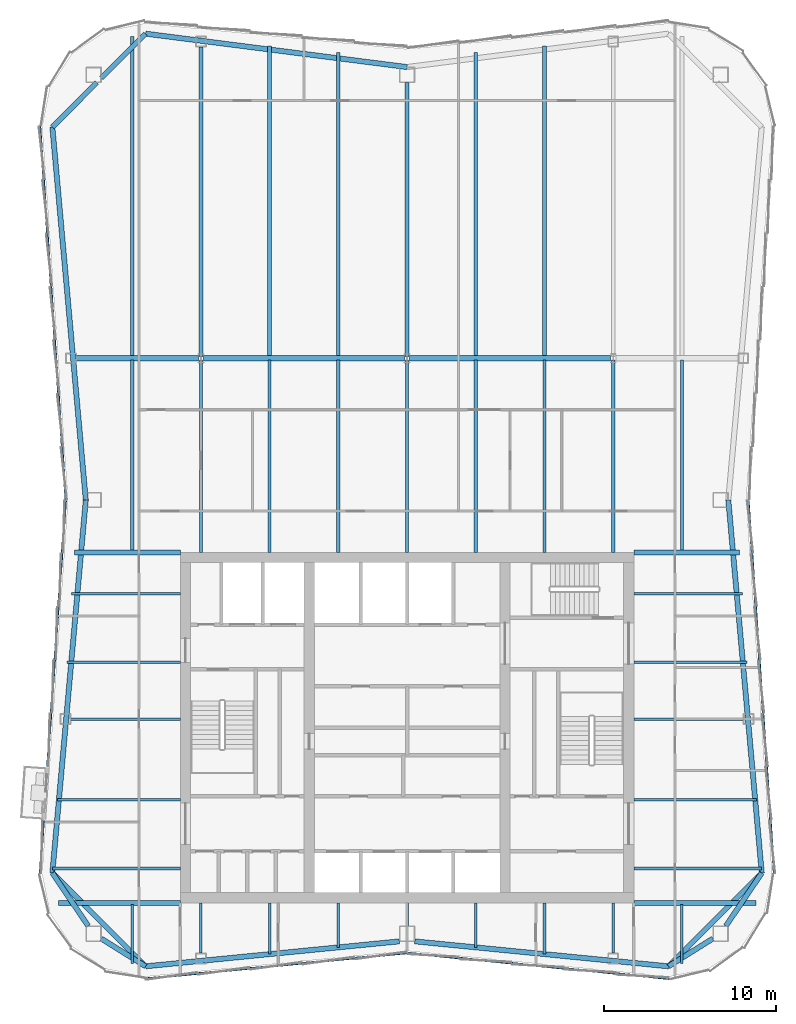
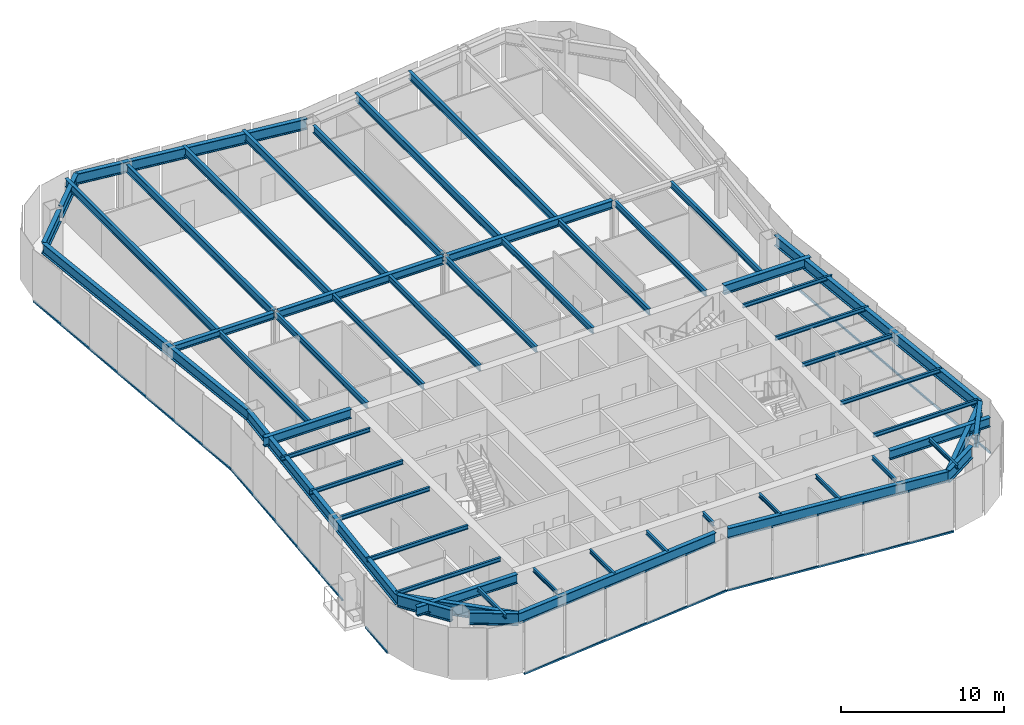
# One storey, part 3 of 10: 56 beams, 6 members, 3 elements without a shape of their own.
"""IFC4 building model written with IfcOpenShell, lengths in metres."""

from ifc_helpers import new_model, si_unit, direction, frame, origin, origin_2d, place, context, subcontext, project, spatial, rectangle, i_section, extrude, material, material_profile, profile_set, type_object, element, aggregate, save


model = new_model("IFC4")

# Units and contexts
model_context = context("Model", 3, precision=1e-05, world=origin(), true_north=direction((0.0, 1.0)))
body_context = subcontext(model_context, "Body", "Model", "MODEL_VIEW")
ifc_project = project(units=[si_unit("LENGTHUNIT", "METRE"), si_unit("AREAUNIT", "SQUARE_METRE"), si_unit("VOLUMEUNIT", "CUBIC_METRE"), si_unit("PLANEANGLEUNIT", "RADIAN"), si_unit("MASSUNIT", "GRAM", prefix="KILO")], contexts=[model_context])

# Site, building, storey
site_placement = place(None, origin())
site = spatial("IfcSite", under=ifc_project, at=site_placement, CompositionType="ELEMENT")
building_placement = place(site_placement, origin())
building = spatial("IfcBuilding", under=site, at=building_placement, Name="Verdant Reach Tower", CompositionType="ELEMENT")
storey_placement = place(building_placement, frame((0.0, 0.0, 302.0)))
storey = spatial("IfcBuildingStorey", under=building, at=storey_placement, Name="L69", CompositionType="ELEMENT", Elevation=302.0)

# Curtain wall, member
ifc_material_1 = material(Name="Anodised aluminium", Category="aluminium")
curtain_wall_type = type_object("IfcCurtainWallType", Name="EN-CW SYSTEM Z5", PredefinedType="NOTDEFINED", material=ifc_material_1)
curtain_wall_1_placement = place(storey_placement, origin())
curtain_wall_1 = element("IfcCurtainWall", 1, at=curtain_wall_1_placement, inside=storey, type_object=curtain_wall_type, Name="Curtain wall east, L69", PredefinedType="NOTDEFINED")
ifc_material_profile_1 = material_profile(ifc_material_1, rectangle(XDim=0.10009765625, YDim=0.1298828125, at=origin_2d()), Name="Transom 130x100")
ifc_profile_set_1 = profile_set([ifc_material_profile_1], Name="Anodised aluminium")
member_type = type_object("IfcMemberType", Name="EN-TRANSOM Z5", PredefinedType="USERDEFINED", material=ifc_profile_set_1)
member_1_placement = place(storey_placement, frame((21.3623046875, 19.527587890625, -0.284912109375), z_axis=(-0.068764705107, 0.997632906099, 0.0), x_axis=(-0.997632906099, -0.068764705107, 0.0)))
member_1 = element("IfcMember", 2, at=member_1_placement, type_object=member_type, Name="Transom east face part 1 1.1, L69", ObjectType="TRANSOM", PredefinedType="USERDEFINED", context=body_context, shape_type="SweptSolid", body=[
    extrude(rectangle(XDim=0.10009765625, YDim=0.1298828125, at=origin_2d()), origin(), (0.0, 0.0, 1.0), 21.739013671875),
])
aggregate(curtain_wall_1, [member_1])

# Curtain wall, members
curtain_wall_2_placement = place(storey_placement, origin())
curtain_wall_2 = element("IfcCurtainWall", 3, at=curtain_wall_2_placement, inside=storey, type_object=curtain_wall_type, Name="Curtain wall west, L69", PredefinedType="NOTDEFINED")
member_2_placement = place(storey_placement, frame((-21.3623046875, 62.972412109375, -0.284912109375), z_axis=(0.068764705107, -0.997632906099, 0.0), x_axis=(0.997632906099, 0.068764705107, 0.0)))
member_2 = element("IfcMember", 4, at=member_2_placement, type_object=member_type, Name="Transom west face part 1 1.1, L69", ObjectType="TRANSOM", PredefinedType="USERDEFINED", context=body_context, shape_type="SweptSolid", body=[
    extrude(rectangle(XDim=0.10009765625, YDim=0.1298828125, at=origin_2d()), origin(), (0.0, 0.0, 1.0), 21.739013671875),
])
member_3_placement = place(storey_placement, frame((-19.867431640625, 41.215087890625, -0.284912109375), z_axis=(-0.068823721613, -0.997628836463, 0.0), x_axis=(0.997628836463, -0.068823721613, 0.0)))
member_3 = element("IfcMember", 5, at=member_3_placement, type_object=member_type, Name="Transom west face part 2 1.1, L69", ObjectType="TRANSOM", PredefinedType="USERDEFINED", context=body_context, shape_type="SweptSolid", body=[
    extrude(rectangle(XDim=0.10009765625, YDim=0.1298828125, at=origin_2d()), origin(), (0.0, 0.0, 1.0), 15.49462890625),
])
member_4_placement = place(storey_placement, frame((-21.15283203125, 22.580078125, -0.284912109375), z_axis=(-0.068462518223, -0.997653689212, 0.0), x_axis=(0.997653689212, -0.068462518223, 0.0)))
member_4 = element("IfcMember", 6, at=member_4_placement, type_object=member_type, Name="Transom west face part 2 2.1, L69", ObjectType="TRANSOM", PredefinedType="USERDEFINED", context=body_context, shape_type="SweptSolid", body=[
    extrude(rectangle(XDim=0.10009765625, YDim=0.1298828125, at=origin_2d()), origin(), (0.0, 0.0, 1.0), 3.0595703125),
])
aggregate(curtain_wall_2, [member_2, member_3, member_4])

curtain_wall_3_placement = place(storey_placement, origin())
curtain_wall_3 = element("IfcCurtainWall", 7, at=curtain_wall_3_placement, inside=storey, type_object=curtain_wall_type, Name="Curtain wall south, L69", PredefinedType="NOTDEFINED")
member_5_placement = place(storey_placement, frame((-15.220703125, 13.388671875, -0.284912109375), z_axis=(0.99520229006, 0.097838652171, 0.0), x_axis=(-0.097838652171, 0.99520229006, 0.0)))
member_5 = element("IfcMember", 8, at=member_5_placement, type_object=member_type, Name="Transom south face part 1 1.1, L69", ObjectType="TRANSOM", PredefinedType="USERDEFINED", context=body_context, shape_type="SweptSolid", body=[
    extrude(rectangle(XDim=0.10009765625, YDim=0.1298828125, at=origin_2d()), origin(), (0.0, 0.0, 1.0), 15.259033203125),
])
member_6_placement = place(storey_placement, frame((0.034912109375, 14.881591796875, -0.284912109375), z_axis=(0.99520229006, -0.097838652171, 0.0), x_axis=(0.097838652171, 0.99520229006, 0.0)))
member_6 = element("IfcMember", 9, at=member_6_placement, type_object=member_type, Name="Transom south face part 2 1.1, L69", ObjectType="TRANSOM", PredefinedType="USERDEFINED", context=body_context, shape_type="SweptSolid", body=[
    extrude(rectangle(XDim=0.10009765625, YDim=0.1298828125, at=origin_2d()), origin(), (0.0, 0.0, 1.0), 15.259033203125),
])
aggregate(curtain_wall_3, [member_5, member_6])

# Beams
ifc_material_2 = material(Name="Steel S355", Category="steel")
ifc_material_profile_2 = material_profile(ifc_material_2, i_section(OverallWidth=0.300048828125, OverallDepth=0.489990234375, WebThickness=0.011962890625, FlangeThickness=0.02294921875, FilletRadius=0.027099609375, at=origin_2d()), Name="HEA 500")
ifc_profile_set_2 = profile_set([ifc_material_profile_2], Name="Steel S355")
beam_type_1 = type_object("IfcBeamType", Name="ST-BEAM-HEA500", PredefinedType="BEAM", material=ifc_profile_set_2)
beam_1_placement = place(storey_placement, frame((-19.26904296875, 49.5, 3.625), z_axis=(1.0, 0.0, 0.0), x_axis=(0.0, 1.0, 0.0)))
element("IfcBeam", 10, at=beam_1_placement, inside=storey, type_object=beam_type_1, Name="Row girder, L69", PredefinedType="BEAM", context=body_context, shape_type="SweptSolid", body=[
    extrude(i_section(OverallWidth=0.300048828125, OverallDepth=0.489990234375, WebThickness=0.011962890625, FlangeThickness=0.02294921875, FilletRadius=0.027099609375, at=origin_2d()), origin(), (0.0, 0.0, 1.0), 7.115966796875),
])
ifc_material_profile_3 = material_profile(ifc_material_2, i_section(OverallWidth=0.300048828125, OverallDepth=0.60009765625, WebThickness=0.015380859375, FlangeThickness=0.030029296875, FilletRadius=0.027099609375, at=origin_2d()), Name="HEB 600")
ifc_profile_set_3 = profile_set([ifc_material_profile_3], Name="Steel S355")
beam_type_2 = type_object("IfcBeamType", Name="ST-BEAM-HEB600", PredefinedType="BEAM", material=ifc_profile_set_3)
for number, where, z_axis, x_axis, name in (
    (11, (-11.846923828125, 49.5, 3.570068359375), (1.0, 0.0, 0.0), (0.0, 1.0, 0.0), "Row girder, L69"),
    (12, (0.153076171875, 49.5, 3.570068359375), (1.0, 0.0, 0.0), (0.0, 1.0, 0.0), "Row girder, L69"),
):
    element("IfcBeam", number, at=place(storey_placement, frame(where, z_axis=z_axis, x_axis=x_axis)), inside=storey, type_object=beam_type_2, Name=name, PredefinedType="BEAM", context=body_context, shape_type="SweptSolid", body=[
        extrude(i_section(OverallWidth=0.300048828125, OverallDepth=0.60009765625, WebThickness=0.015380859375, FlangeThickness=0.030029296875, FilletRadius=0.027099609375, at=origin_2d()), origin(), (0.0, 0.0, 1.0), 11.69384765625),
    ])
ifc_material_profile_4 = material_profile(ifc_material_2, i_section(OverallWidth=0.300048828125, OverallDepth=0.699951171875, WebThickness=0.01708984375, FlangeThickness=0.031982421875, FilletRadius=0.027099609375, at=origin_2d()), Name="HEB 700")
ifc_profile_set_4 = profile_set([ifc_material_profile_4], Name="Steel S355")
beam_type_3 = type_object("IfcBeamType", Name="ST-BEAM-HEB700", PredefinedType="BEAM", material=ifc_profile_set_4)
for number, where, z_axis, x_axis, name in (
    (13, (13.199951171875, 38.199951171875, 3.52001953125), (1.0, 0.0, 0.0), (0.0, 1.0, 0.0), "Trimmer beam, L69"),
    (14, (-13.199951171875, 38.199951171875, 3.52001953125), (-1.0, 0.0, 0.0), (0.0, -1.0, 0.0), "Trimmer beam, L69"),
):
    element("IfcBeam", number, at=place(storey_placement, frame(where, z_axis=z_axis, x_axis=x_axis)), inside=storey, type_object=beam_type_3, Name=name, PredefinedType="BEAM", context=body_context, shape_type="SweptSolid", body=[
        extrude(i_section(OverallWidth=0.300048828125, OverallDepth=0.699951171875, WebThickness=0.01708984375, FlangeThickness=0.031982421875, FilletRadius=0.027099609375, at=origin_2d()), origin(), (0.0, 0.0, 1.0), 6.158935546875),
    ])
for number, where, z_axis, x_axis, name in (
    (15, (13.199951171875, 17.800048828125, 3.52001953125), (1.0, 0.0, 0.0), (0.0, 1.0, 0.0), "Trimmer beam, L69"),
    (16, (-13.199951171875, 17.800048828125, 3.52001953125), (-1.0, 0.0, 0.0), (0.0, -1.0, 0.0), "Trimmer beam, L69"),
):
    element("IfcBeam", number, at=place(storey_placement, frame(where, z_axis=z_axis, x_axis=x_axis)), inside=storey, type_object=beam_type_3, Name=name, PredefinedType="BEAM", context=body_context, shape_type="SweptSolid", body=[
        extrude(i_section(OverallWidth=0.300048828125, OverallDepth=0.699951171875, WebThickness=0.01708984375, FlangeThickness=0.031982421875, FilletRadius=0.027099609375, at=origin_2d()), origin(), (0.0, 0.0, 1.0), 7.10009765625),
    ])
ifc_material_profile_5 = material_profile(ifc_material_2, i_section(OverallWidth=0.302001953125, OverallDepth=0.909912109375, WebThickness=0.02099609375, FlangeThickness=0.0400390625, FilletRadius=0.030029296875, at=origin_2d()), Name="HEM 900")
ifc_profile_set_5 = profile_set([ifc_material_profile_5], Name="Steel S355")
beam_type_4 = type_object("IfcBeamType", Name="ST-BEAM-HEM900", PredefinedType="BEAM", material=ifc_profile_set_5)
beam_2_placement = place(storey_placement, frame((17.800048828125, 15.71875, 3.4150390625), z_axis=(-0.847903624467, -0.530150397166, 0.0), x_axis=(0.530150397166, -0.847903624467, 0.0)))
element("IfcBeam", 17, at=beam_2_placement, inside=storey, type_object=beam_type_4, Name="Column stub beam, L69", PredefinedType="BEAM", context=body_context, shape_type="SweptSolid", body=[
    extrude(i_section(OverallWidth=0.302001953125, OverallDepth=0.909912109375, WebThickness=0.02099609375, FlangeThickness=0.0400390625, FilletRadius=0.030029296875, at=origin_2d()), origin(), (0.0, 0.0, 1.0), 3.042724609375),
])
beam_3_placement = place(storey_placement, frame((18.5546875, 16.449951171875, 3.4150390625), z_axis=(0.560667226688, 0.828041219335, 0.0), x_axis=(-0.828041219335, 0.560667226688, 0.0)))
element("IfcBeam", 18, at=beam_3_placement, inside=storey, type_object=beam_type_4, Name="Column stub beam, L69", PredefinedType="BEAM", context=body_context, shape_type="SweptSolid", body=[
    extrude(i_section(OverallWidth=0.302001953125, OverallDepth=0.909912109375, WebThickness=0.02099609375, FlangeThickness=0.0400390625, FilletRadius=0.030029296875, at=origin_2d()), origin(), (0.0, 0.0, 1.0), 3.72998046875),
])
beam_4_placement = place(storey_placement, frame((-17.800048828125, 15.71875, 3.4150390625), z_axis=(0.847903624467, -0.530150397166, 0.0), x_axis=(0.530150397166, 0.847903624467, 0.0)))
element("IfcBeam", 19, at=beam_4_placement, inside=storey, type_object=beam_type_4, Name="Column stub beam, L69", PredefinedType="BEAM", context=body_context, shape_type="SweptSolid", body=[
    extrude(i_section(OverallWidth=0.302001953125, OverallDepth=0.909912109375, WebThickness=0.02099609375, FlangeThickness=0.0400390625, FilletRadius=0.030029296875, at=origin_2d()), origin(), (0.0, 0.0, 1.0), 3.042724609375),
])
beam_5_placement = place(storey_placement, frame((-18.5546875, 16.449951171875, 3.4150390625), z_axis=(-0.560667226688, 0.828041219335, 0.0), x_axis=(-0.828041219335, -0.560667226688, 0.0)))
element("IfcBeam", 20, at=beam_5_placement, inside=storey, type_object=beam_type_4, Name="Column stub beam, L69", PredefinedType="BEAM", context=body_context, shape_type="SweptSolid", body=[
    extrude(i_section(OverallWidth=0.302001953125, OverallDepth=0.909912109375, WebThickness=0.02099609375, FlangeThickness=0.0400390625, FilletRadius=0.030029296875, at=origin_2d()), origin(), (0.0, 0.0, 1.0), 3.72998046875),
])
ifc_material_profile_6 = material_profile(ifc_material_2, i_section(OverallWidth=0.14990234375, OverallDepth=0.300048828125, WebThickness=0.007080078125, FlangeThickness=0.0107421875, FilletRadius=0.014892578125, at=origin_2d()), Name="IPE 300")
ifc_profile_set_6 = profile_set([ifc_material_profile_6], Name="Steel S355")
beam_type_5 = type_object("IfcBeamType", Name="ST-JOIST-IPE300", PredefinedType="JOIST", material=ifc_profile_set_6)
beam_6_placement = place(storey_placement, frame((-16.0, 17.699951171875, 3.719970703125), z_axis=(0.0, -1.0, 0.0), x_axis=(1.0, 0.0, 0.0)))
element("IfcBeam", 21, at=beam_6_placement, inside=storey, type_object=beam_type_5, Name="Floor joist, L69", PredefinedType="JOIST", context=body_context, shape_type="SweptSolid", body=[
    extrude(i_section(OverallWidth=0.14990234375, OverallDepth=0.300048828125, WebThickness=0.007080078125, FlangeThickness=0.0107421875, FilletRadius=0.014892578125, at=origin_2d()), origin(), (0.0, 0.0, 1.0), 3.43896484375),
])
beam_7_placement = place(storey_placement, frame((-12.0, 17.800048828125, 3.719970703125), z_axis=(0.0, -1.0, 0.0), x_axis=(1.0, 0.0, 0.0)))
element("IfcBeam", 22, at=beam_7_placement, inside=storey, type_object=beam_type_5, Name="Floor joist, L69", PredefinedType="JOIST", context=body_context, shape_type="SweptSolid", body=[
    extrude(i_section(OverallWidth=0.14990234375, OverallDepth=0.300048828125, WebThickness=0.007080078125, FlangeThickness=0.0107421875, FilletRadius=0.014892578125, at=origin_2d()), origin(), (0.0, 0.0, 1.0), 2.930419921875),
])
beam_8_placement = place(storey_placement, frame((-8.0, 17.800048828125, 3.719970703125), z_axis=(0.0, -1.0, 0.0), x_axis=(1.0, 0.0, 0.0)))
element("IfcBeam", 23, at=beam_8_placement, inside=storey, type_object=beam_type_5, Name="Floor joist, L69", PredefinedType="JOIST", context=body_context, shape_type="SweptSolid", body=[
    extrude(i_section(OverallWidth=0.14990234375, OverallDepth=0.300048828125, WebThickness=0.007080078125, FlangeThickness=0.0107421875, FilletRadius=0.014892578125, at=origin_2d()), origin(), (0.0, 0.0, 1.0), 2.984130859375),
])
beam_9_placement = place(storey_placement, frame((-4.0, 17.800048828125, 3.719970703125), z_axis=(0.0, -1.0, 0.0), x_axis=(1.0, 0.0, 0.0)))
element("IfcBeam", 24, at=beam_9_placement, inside=storey, type_object=beam_type_5, Name="Floor joist, L69", PredefinedType="JOIST", context=body_context, shape_type="SweptSolid", body=[
    extrude(i_section(OverallWidth=0.14990234375, OverallDepth=0.300048828125, WebThickness=0.007080078125, FlangeThickness=0.0107421875, FilletRadius=0.014892578125, at=origin_2d()), origin(), (0.0, 0.0, 1.0), 2.590576171875),
])
beam_10_placement = place(storey_placement, frame((0.0, 17.800048828125, 3.719970703125), z_axis=(0.0, -1.0, 0.0), x_axis=(1.0, 0.0, 0.0)))
element("IfcBeam", 25, at=beam_10_placement, inside=storey, type_object=beam_type_5, Name="Floor joist, L69", PredefinedType="JOIST", context=body_context, shape_type="SweptSolid", body=[
    extrude(i_section(OverallWidth=0.14990234375, OverallDepth=0.300048828125, WebThickness=0.007080078125, FlangeThickness=0.0107421875, FilletRadius=0.014892578125, at=origin_2d()), origin(), (0.0, 0.0, 1.0), 1.35009765625),
])
beam_11_placement = place(storey_placement, frame((4.0, 17.800048828125, 3.719970703125), z_axis=(0.0, -1.0, 0.0), x_axis=(1.0, 0.0, 0.0)))
element("IfcBeam", 26, at=beam_11_placement, inside=storey, type_object=beam_type_5, Name="Floor joist, L69", PredefinedType="JOIST", context=body_context, shape_type="SweptSolid", body=[
    extrude(i_section(OverallWidth=0.14990234375, OverallDepth=0.300048828125, WebThickness=0.007080078125, FlangeThickness=0.0107421875, FilletRadius=0.014892578125, at=origin_2d()), origin(), (0.0, 0.0, 1.0), 2.590576171875),
])
beam_12_placement = place(storey_placement, frame((8.0, 17.800048828125, 3.719970703125), z_axis=(0.0, -1.0, 0.0), x_axis=(1.0, 0.0, 0.0)))
element("IfcBeam", 27, at=beam_12_placement, inside=storey, type_object=beam_type_5, Name="Floor joist, L69", PredefinedType="JOIST", context=body_context, shape_type="SweptSolid", body=[
    extrude(i_section(OverallWidth=0.14990234375, OverallDepth=0.300048828125, WebThickness=0.007080078125, FlangeThickness=0.0107421875, FilletRadius=0.014892578125, at=origin_2d()), origin(), (0.0, 0.0, 1.0), 2.984130859375),
])
beam_13_placement = place(storey_placement, frame((12.0, 17.800048828125, 3.719970703125), z_axis=(0.0, -1.0, 0.0), x_axis=(1.0, 0.0, 0.0)))
element("IfcBeam", 28, at=beam_13_placement, inside=storey, type_object=beam_type_5, Name="Floor joist, L69", PredefinedType="JOIST", context=body_context, shape_type="SweptSolid", body=[
    extrude(i_section(OverallWidth=0.14990234375, OverallDepth=0.300048828125, WebThickness=0.007080078125, FlangeThickness=0.0107421875, FilletRadius=0.014892578125, at=origin_2d()), origin(), (0.0, 0.0, 1.0), 2.930419921875),
])
beam_14_placement = place(storey_placement, frame((16.0, 17.699951171875, 3.719970703125), z_axis=(0.0, -1.0, 0.0), x_axis=(1.0, 0.0, 0.0)))
element("IfcBeam", 29, at=beam_14_placement, inside=storey, type_object=beam_type_5, Name="Floor joist, L69", PredefinedType="JOIST", context=body_context, shape_type="SweptSolid", body=[
    extrude(i_section(OverallWidth=0.14990234375, OverallDepth=0.300048828125, WebThickness=0.007080078125, FlangeThickness=0.0107421875, FilletRadius=0.014892578125, at=origin_2d()), origin(), (0.0, 0.0, 1.0), 3.43896484375),
])
for number, where, z_axis, x_axis, name in (
    (30, (13.199951171875, 19.800048828125, 3.719970703125), (1.0, 0.0, 0.0), (0.0, 1.0, 0.0), "Floor joist, L69"),
    (31, (-13.199951171875, 19.800048828125, 3.719970703125), (-1.0, 0.0, 0.0), (0.0, -1.0, 0.0), "Floor joist, L69"),
):
    element("IfcBeam", number, at=place(storey_placement, frame(where, z_axis=z_axis, x_axis=x_axis)), inside=storey, type_object=beam_type_5, Name=name, PredefinedType="JOIST", context=body_context, shape_type="SweptSolid", body=[
        extrude(i_section(OverallWidth=0.14990234375, OverallDepth=0.300048828125, WebThickness=0.007080078125, FlangeThickness=0.0107421875, FilletRadius=0.014892578125, at=origin_2d()), origin(), (0.0, 0.0, 1.0), 7.427978515625),
    ])
for number, where, z_axis, x_axis, name in (
    (32, (13.199951171875, 23.800048828125, 3.719970703125), (1.0, 0.0, 0.0), (0.0, 1.0, 0.0), "Floor joist, L69"),
    (33, (-13.199951171875, 23.800048828125, 3.719970703125), (-1.0, 0.0, 0.0), (0.0, -1.0, 0.0), "Floor joist, L69"),
):
    element("IfcBeam", number, at=place(storey_placement, frame(where, z_axis=z_axis, x_axis=x_axis)), inside=storey, type_object=beam_type_5, Name=name, PredefinedType="JOIST", context=body_context, shape_type="SweptSolid", body=[
        extrude(i_section(OverallWidth=0.14990234375, OverallDepth=0.300048828125, WebThickness=0.007080078125, FlangeThickness=0.0107421875, FilletRadius=0.014892578125, at=origin_2d()), origin(), (0.0, 0.0, 1.0), 7.152099609375),
    ])
for number, where, z_axis, x_axis, name in (
    (34, (13.199951171875, 28.5, 3.719970703125), (1.0, 0.0, 0.0), (0.0, 1.0, 0.0), "Floor joist, L69"),
    (35, (-13.199951171875, 28.5, 3.719970703125), (-1.0, 0.0, 0.0), (0.0, -1.0, 0.0), "Floor joist, L69"),
):
    element("IfcBeam", number, at=place(storey_placement, frame(where, z_axis=z_axis, x_axis=x_axis)), inside=storey, type_object=beam_type_5, Name=name, PredefinedType="JOIST", context=body_context, shape_type="SweptSolid", body=[
        extrude(i_section(OverallWidth=0.14990234375, OverallDepth=0.300048828125, WebThickness=0.007080078125, FlangeThickness=0.0107421875, FilletRadius=0.014892578125, at=origin_2d()), origin(), (0.0, 0.0, 1.0), 6.37939453125),
    ])
for number, where, z_axis, x_axis, name in (
    (36, (13.199951171875, 31.800048828125, 3.719970703125), (1.0, 0.0, 0.0), (0.0, 1.0, 0.0), "Floor joist, L69"),
    (37, (-13.199951171875, 31.800048828125, 3.719970703125), (-1.0, 0.0, 0.0), (0.0, -1.0, 0.0), "Floor joist, L69"),
):
    element("IfcBeam", number, at=place(storey_placement, frame(where, z_axis=z_axis, x_axis=x_axis)), inside=storey, type_object=beam_type_5, Name=name, PredefinedType="JOIST", context=body_context, shape_type="SweptSolid", body=[
        extrude(i_section(OverallWidth=0.14990234375, OverallDepth=0.300048828125, WebThickness=0.007080078125, FlangeThickness=0.0107421875, FilletRadius=0.014892578125, at=origin_2d()), origin(), (0.0, 0.0, 1.0), 6.600341796875),
    ])
for number, where, z_axis, x_axis, name in (
    (38, (13.199951171875, 35.800048828125, 3.719970703125), (1.0, 0.0, 0.0), (0.0, 1.0, 0.0), "Floor joist, L69"),
    (39, (-13.199951171875, 35.800048828125, 3.719970703125), (-1.0, 0.0, 0.0), (0.0, -1.0, 0.0), "Floor joist, L69"),
):
    element("IfcBeam", number, at=place(storey_placement, frame(where, z_axis=z_axis, x_axis=x_axis)), inside=storey, type_object=beam_type_5, Name=name, PredefinedType="JOIST", context=body_context, shape_type="SweptSolid", body=[
        extrude(i_section(OverallWidth=0.14990234375, OverallDepth=0.300048828125, WebThickness=0.007080078125, FlangeThickness=0.0107421875, FilletRadius=0.014892578125, at=origin_2d()), origin(), (0.0, 0.0, 1.0), 6.324462890625),
    ])
ifc_material_profile_7 = material_profile(ifc_material_2, i_section(OverallWidth=0.18994140625, OverallDepth=0.449951171875, WebThickness=0.009521484375, FlangeThickness=0.0146484375, FilletRadius=0.02099609375, at=origin_2d()), Name="IPE 450")
ifc_profile_set_7 = profile_set([ifc_material_profile_7], Name="Steel S355")
beam_type_6 = type_object("IfcBeamType", Name="ST-JOIST-IPE450", PredefinedType="JOIST", material=ifc_profile_set_7)
beam_15_placement = place(storey_placement, frame((-16.0, 38.300048828125, 3.64501953125), z_axis=(0.0, 1.0, 0.0), x_axis=(-1.0, 0.0, 0.0)))
element("IfcBeam", 40, at=beam_15_placement, inside=storey, type_object=beam_type_6, Name="Floor joist, L69", PredefinedType="JOIST", context=body_context, shape_type="SweptSolid", body=[
    extrude(i_section(OverallWidth=0.18994140625, OverallDepth=0.449951171875, WebThickness=0.009521484375, FlangeThickness=0.0146484375, FilletRadius=0.02099609375, at=origin_2d()), origin(), (0.0, 0.0, 1.0), 11.099853515625),
])
for number, where, z_axis, x_axis, name in (
    (41, (-12.0, 38.199951171875, 3.64501953125), (0.0, 1.0, 0.0), (-1.0, 0.0, 0.0), "Floor joist, L69"),
    (42, (-8.0, 38.199951171875, 3.64501953125), (0.0, 1.0, 0.0), (-1.0, 0.0, 0.0), "Floor joist, L69"),
    (43, (-4.0, 38.199951171875, 3.64501953125), (0.0, 1.0, 0.0), (-1.0, 0.0, 0.0), "Floor joist, L69"),
    (44, (0.0, 38.199951171875, 3.64501953125), (0.0, 1.0, 0.0), (-1.0, 0.0, 0.0), "Floor joist, L69"),
    (45, (4.0, 38.199951171875, 3.64501953125), (0.0, 1.0, 0.0), (-1.0, 0.0, 0.0), "Floor joist, L69"),
    (46, (8.0, 38.199951171875, 3.64501953125), (0.0, 1.0, 0.0), (-1.0, 0.0, 0.0), "Floor joist, L69"),
    (47, (12.0, 38.199951171875, 3.64501953125), (0.0, 1.0, 0.0), (-1.0, 0.0, 0.0), "Floor joist, L69"),
):
    element("IfcBeam", number, at=place(storey_placement, frame(where, z_axis=z_axis, x_axis=x_axis)), inside=storey, type_object=beam_type_6, Name=name, PredefinedType="JOIST", context=body_context, shape_type="SweptSolid", body=[
        extrude(i_section(OverallWidth=0.18994140625, OverallDepth=0.449951171875, WebThickness=0.009521484375, FlangeThickness=0.0146484375, FilletRadius=0.02099609375, at=origin_2d()), origin(), (0.0, 0.0, 1.0), 11.199951171875),
    ])
beam_16_placement = place(storey_placement, frame((16.0, 38.300048828125, 3.64501953125), z_axis=(0.0, 1.0, 0.0), x_axis=(-1.0, 0.0, 0.0)))
element("IfcBeam", 48, at=beam_16_placement, inside=storey, type_object=beam_type_6, Name="Floor joist, L69", PredefinedType="JOIST", context=body_context, shape_type="SweptSolid", body=[
    extrude(i_section(OverallWidth=0.18994140625, OverallDepth=0.449951171875, WebThickness=0.009521484375, FlangeThickness=0.0146484375, FilletRadius=0.02099609375, at=origin_2d()), origin(), (0.0, 0.0, 1.0), 11.099853515625),
])
ifc_material_profile_8 = material_profile(ifc_material_2, i_section(OverallWidth=0.2099609375, OverallDepth=0.550048828125, WebThickness=0.010986328125, FlangeThickness=0.01708984375, FilletRadius=0.02392578125, at=origin_2d()), Name="IPE 550")
ifc_profile_set_8 = profile_set([ifc_material_profile_8], Name="Steel S355")
beam_type_7 = type_object("IfcBeamType", Name="ST-JOIST-IPE550", PredefinedType="JOIST", material=ifc_profile_set_8)
beam_17_placement = place(storey_placement, frame((0.0, 49.60009765625, 3.594970703125), z_axis=(0.0, 1.0, 0.0), x_axis=(-1.0, 0.0, 0.0)))
element("IfcBeam", 49, at=beam_17_placement, inside=storey, type_object=beam_type_7, Name="Floor joist, L69", PredefinedType="JOIST", context=body_context, shape_type="SweptSolid", body=[
    extrude(i_section(OverallWidth=0.2099609375, OverallDepth=0.550048828125, WebThickness=0.010986328125, FlangeThickness=0.01708984375, FilletRadius=0.02392578125, at=origin_2d()), origin(), (0.0, 0.0, 1.0), 15.949951171875),
])
ifc_material_profile_9 = material_profile(ifc_material_2, i_section(OverallWidth=0.219970703125, OverallDepth=0.60009765625, WebThickness=0.011962890625, FlangeThickness=0.01904296875, FilletRadius=0.02392578125, at=origin_2d()), Name="IPE 600")
ifc_profile_set_9 = profile_set([ifc_material_profile_9], Name="Steel S355")
beam_type_8 = type_object("IfcBeamType", Name="ST-JOIST-IPE600", PredefinedType="JOIST", material=ifc_profile_set_9)
beam_18_placement = place(storey_placement, frame((-16.0, 49.60009765625, 3.570068359375), z_axis=(0.0, 1.0, 0.0), x_axis=(-1.0, 0.0, 0.0)))
element("IfcBeam", 50, at=beam_18_placement, inside=storey, type_object=beam_type_8, Name="Floor joist, L69", PredefinedType="JOIST", context=body_context, shape_type="SweptSolid", body=[
    extrude(i_section(OverallWidth=0.219970703125, OverallDepth=0.60009765625, WebThickness=0.011962890625, FlangeThickness=0.01904296875, FilletRadius=0.02392578125, at=origin_2d()), origin(), (0.0, 0.0, 1.0), 18.638916015625),
])
beam_19_placement = place(storey_placement, frame((-12.0, 49.60009765625, 3.570068359375), z_axis=(0.0, 1.0, 0.0), x_axis=(-1.0, 0.0, 0.0)))
element("IfcBeam", 51, at=beam_19_placement, inside=storey, type_object=beam_type_8, Name="Floor joist, L69", PredefinedType="JOIST", context=body_context, shape_type="SweptSolid", body=[
    extrude(i_section(OverallWidth=0.219970703125, OverallDepth=0.60009765625, WebThickness=0.011962890625, FlangeThickness=0.01904296875, FilletRadius=0.02392578125, at=origin_2d()), origin(), (0.0, 0.0, 1.0), 18.0302734375),
])
beam_20_placement = place(storey_placement, frame((-8.0, 49.60009765625, 3.570068359375), z_axis=(0.0, 1.0, 0.0), x_axis=(-1.0, 0.0, 0.0)))
element("IfcBeam", 52, at=beam_20_placement, inside=storey, type_object=beam_type_8, Name="Floor joist, L69", PredefinedType="JOIST", context=body_context, shape_type="SweptSolid", body=[
    extrude(i_section(OverallWidth=0.219970703125, OverallDepth=0.60009765625, WebThickness=0.011962890625, FlangeThickness=0.01904296875, FilletRadius=0.02392578125, at=origin_2d()), origin(), (0.0, 0.0, 1.0), 18.083984375),
])
for number, where, z_axis, x_axis, name in (
    (53, (-4.0, 49.60009765625, 3.570068359375), (0.0, 1.0, 0.0), (-1.0, 0.0, 0.0), "Floor joist, L69"),
    (54, (4.0, 49.60009765625, 3.570068359375), (0.0, 1.0, 0.0), (-1.0, 0.0, 0.0), "Floor joist, L69"),
):
    element("IfcBeam", number, at=place(storey_placement, frame(where, z_axis=z_axis, x_axis=x_axis)), inside=storey, type_object=beam_type_8, Name=name, PredefinedType="JOIST", context=body_context, shape_type="SweptSolid", body=[
        extrude(i_section(OverallWidth=0.219970703125, OverallDepth=0.60009765625, WebThickness=0.011962890625, FlangeThickness=0.01904296875, FilletRadius=0.02392578125, at=origin_2d()), origin(), (0.0, 0.0, 1.0), 17.6904296875),
    ])
beam_21_placement = place(storey_placement, frame((8.0, 49.60009765625, 3.570068359375), z_axis=(0.0, 1.0, 0.0), x_axis=(-1.0, 0.0, 0.0)))
element("IfcBeam", 55, at=beam_21_placement, inside=storey, type_object=beam_type_8, Name="Floor joist, L69", PredefinedType="JOIST", context=body_context, shape_type="SweptSolid", body=[
    extrude(i_section(OverallWidth=0.219970703125, OverallDepth=0.60009765625, WebThickness=0.011962890625, FlangeThickness=0.01904296875, FilletRadius=0.02392578125, at=origin_2d()), origin(), (0.0, 0.0, 1.0), 18.083984375),
])
ifc_material_profile_10 = material_profile(ifc_material_2, i_section(OverallWidth=0.300048828125, OverallDepth=0.800048828125, WebThickness=0.017578125, FlangeThickness=0.032958984375, FilletRadius=0.030029296875, at=origin_2d()), Name="HEB 800")
ifc_profile_set_10 = profile_set([ifc_material_profile_10], Name="Steel S355")
beam_type_9 = type_object("IfcBeamType", Name="ST-SPANDREL-HEB800", PredefinedType="SPANDREL", material=ifc_profile_set_10)
for number, where, z_axis, x_axis, name in (
    (56, (15.22021484375, 14.105712890625, 3.469970703125), (-0.995196964263, 0.097892810366, 0.0), (-0.097892810366, -0.995196964263, 0.0), "Edge beam, L69"),
    (57, (-0.449951171875, 15.55859375, 3.469970703125), (-0.995196964263, -0.097892810366, 0.0), (0.097892810366, -0.995196964263, 0.0), "Edge beam, L69"),
):
    element("IfcBeam", number, at=place(storey_placement, frame(where, z_axis=z_axis, x_axis=x_axis)), inside=storey, type_object=beam_type_9, Name=name, PredefinedType="SPANDREL", context=body_context, shape_type="SweptSolid", body=[
        extrude(i_section(OverallWidth=0.300048828125, OverallDepth=0.800048828125, WebThickness=0.017578125, FlangeThickness=0.032958984375, FilletRadius=0.030029296875, at=origin_2d()), origin(), (0.0, 0.0, 1.0), 14.841552734375),
    ])
for number, where, z_axis, x_axis, name in (
    (58, (-20.64599609375, 19.53857421875, 3.469970703125), (0.089274399498, 0.996007069048, 0.0), (-0.996007069048, 0.089274399498, 0.0), "Edge beam, L69"),
    (59, (-18.699951171875, 41.25, 3.469970703125), (-0.089274399498, 0.996007069048, 0.0), (-0.996007069048, -0.089274399498, 0.0), "Edge beam, L69"),
):
    element("IfcBeam", number, at=place(storey_placement, frame(where, z_axis=z_axis, x_axis=x_axis)), inside=storey, type_object=beam_type_9, Name=name, PredefinedType="SPANDREL", context=body_context, shape_type="SweptSolid", body=[
        extrude(i_section(OverallWidth=0.300048828125, OverallDepth=0.800048828125, WebThickness=0.017578125, FlangeThickness=0.032958984375, FilletRadius=0.030029296875, at=origin_2d()), origin(), (0.0, 0.0, 1.0), 21.798583984375),
    ])
beam_22_placement = place(storey_placement, frame((-15.22021484375, 68.394287109375, 3.469970703125), z_axis=(0.991938889669, -0.126717162063, 0.0), x_axis=(0.126717162063, 0.991938889669, 0.0)))
element("IfcBeam", 60, at=beam_22_placement, inside=storey, type_object=beam_type_9, Name="Edge beam, L69", PredefinedType="SPANDREL", context=body_context, shape_type="SweptSolid", body=[
    extrude(i_section(OverallWidth=0.300048828125, OverallDepth=0.800048828125, WebThickness=0.017578125, FlangeThickness=0.032958984375, FilletRadius=0.030029296875, at=origin_2d()), origin(), (0.0, 0.0, 1.0), 15.343994140625),
])
beam_23_placement = place(storey_placement, frame((18.699951171875, 41.25, 3.469970703125), z_axis=(0.089274399498, -0.996007069048, 0.0), x_axis=(0.996007069048, 0.089274399498, 0.0)))
element("IfcBeam", 61, at=beam_23_placement, inside=storey, type_object=beam_type_9, Name="Edge beam, L69", PredefinedType="SPANDREL", context=body_context, shape_type="SweptSolid", body=[
    extrude(i_section(OverallWidth=0.300048828125, OverallDepth=0.800048828125, WebThickness=0.017578125, FlangeThickness=0.032958984375, FilletRadius=0.030029296875, at=origin_2d()), origin(), (0.0, 0.0, 1.0), 21.798583984375),
])
ifc_material_profile_11 = material_profile(ifc_material_2, i_section(OverallWidth=0.302001953125, OverallDepth=0.909912109375, WebThickness=0.02099609375, FlangeThickness=0.0400390625, FilletRadius=0.030029296875, at=origin_2d()), Name="HEM 900")
ifc_profile_set_11 = profile_set([ifc_material_profile_11], Name="Steel S355")
beam_type_10 = type_object("IfcBeamType", Name="ST-SPANDREL-HEM900", PredefinedType="SPANDREL", material=ifc_profile_set_11)
beam_24_placement = place(storey_placement, frame((-15.22021484375, 14.105712890625, 3.4150390625), z_axis=(-0.706645581521, 0.707567680237, 0.0), x_axis=(-0.707567680237, -0.706645581521, 0.0)))
element("IfcBeam", 62, at=beam_24_placement, inside=storey, type_object=beam_type_10, Name="Edge beam, L69", PredefinedType="SPANDREL", context=body_context, shape_type="SweptSolid", body=[
    extrude(i_section(OverallWidth=0.302001953125, OverallDepth=0.909912109375, WebThickness=0.02099609375, FlangeThickness=0.0400390625, FilletRadius=0.030029296875, at=origin_2d()), origin(), (0.0, 0.0, 1.0), 7.67822265625),
])
beam_25_placement = place(storey_placement, frame((-20.64599609375, 62.96142578125, 3.4150390625), z_axis=(0.706639493403, 0.707573760369, 0.0), x_axis=(-0.707573760369, 0.706639493403, 0.0)))
element("IfcBeam", 63, at=beam_25_placement, inside=storey, type_object=beam_type_10, Name="Edge beam, L69", PredefinedType="SPANDREL", context=body_context, shape_type="SweptSolid", body=[
    extrude(i_section(OverallWidth=0.302001953125, OverallDepth=0.909912109375, WebThickness=0.02099609375, FlangeThickness=0.0400390625, FilletRadius=0.030029296875, at=origin_2d()), origin(), (0.0, 0.0, 1.0), 3.658447265625),
])
beam_26_placement = place(storey_placement, frame((-17.800048828125, 65.81103515625, 3.4150390625), z_axis=(0.706638520854, 0.707574731632, 0.0), x_axis=(-0.707574731632, 0.706638520854, 0.0)))
element("IfcBeam", 64, at=beam_26_placement, inside=storey, type_object=beam_type_10, Name="Edge beam, L69", PredefinedType="SPANDREL", context=body_context, shape_type="SweptSolid", body=[
    extrude(i_section(OverallWidth=0.302001953125, OverallDepth=0.909912109375, WebThickness=0.02099609375, FlangeThickness=0.0400390625, FilletRadius=0.030029296875, at=origin_2d()), origin(), (0.0, 0.0, 1.0), 3.65087890625),
])
beam_27_placement = place(storey_placement, frame((20.64599609375, 19.53857421875, 3.4150390625), z_axis=(-0.706645581521, -0.707567680237, 0.0), x_axis=(0.707567680237, -0.706645581521, 0.0)))
element("IfcBeam", 65, at=beam_27_placement, inside=storey, type_object=beam_type_10, Name="Edge beam, L69", PredefinedType="SPANDREL", context=body_context, shape_type="SweptSolid", body=[
    extrude(i_section(OverallWidth=0.302001953125, OverallDepth=0.909912109375, WebThickness=0.02099609375, FlangeThickness=0.0400390625, FilletRadius=0.030029296875, at=origin_2d()), origin(), (0.0, 0.0, 1.0), 7.67822265625),
])

save(model, "model.ifc")
